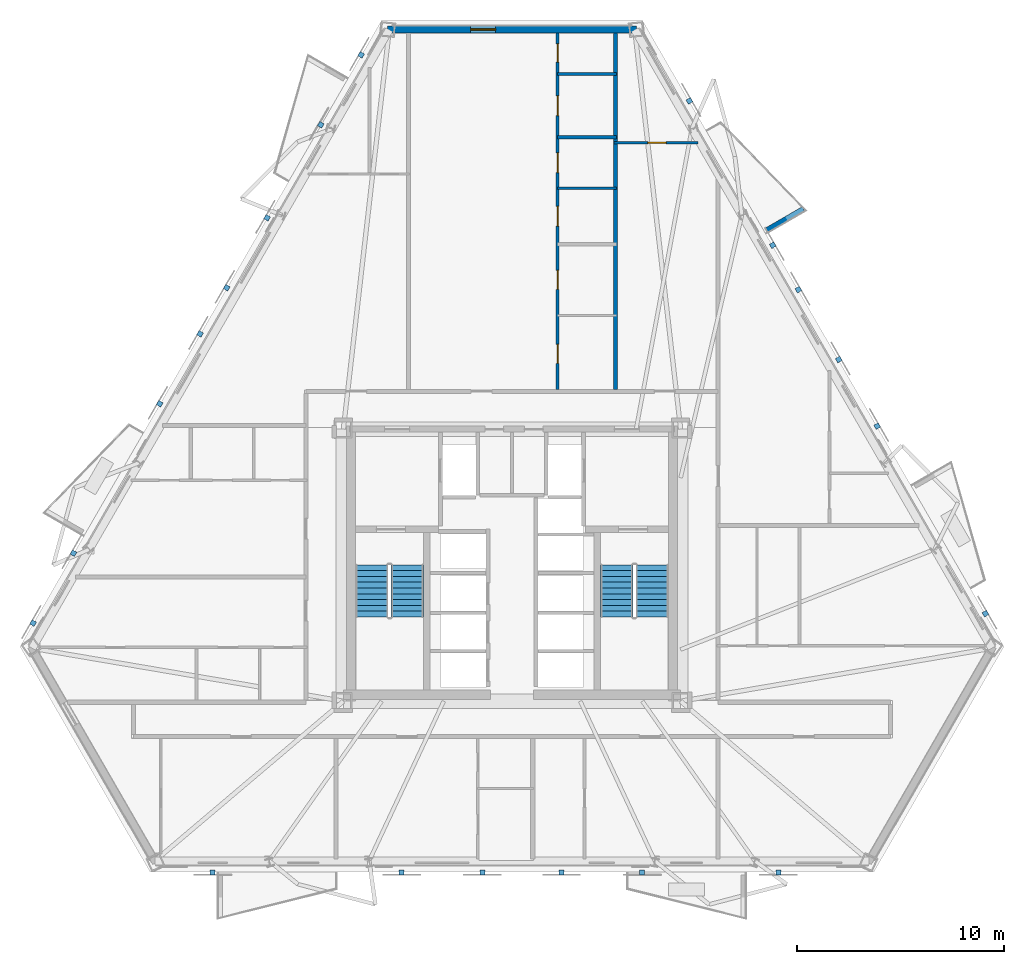
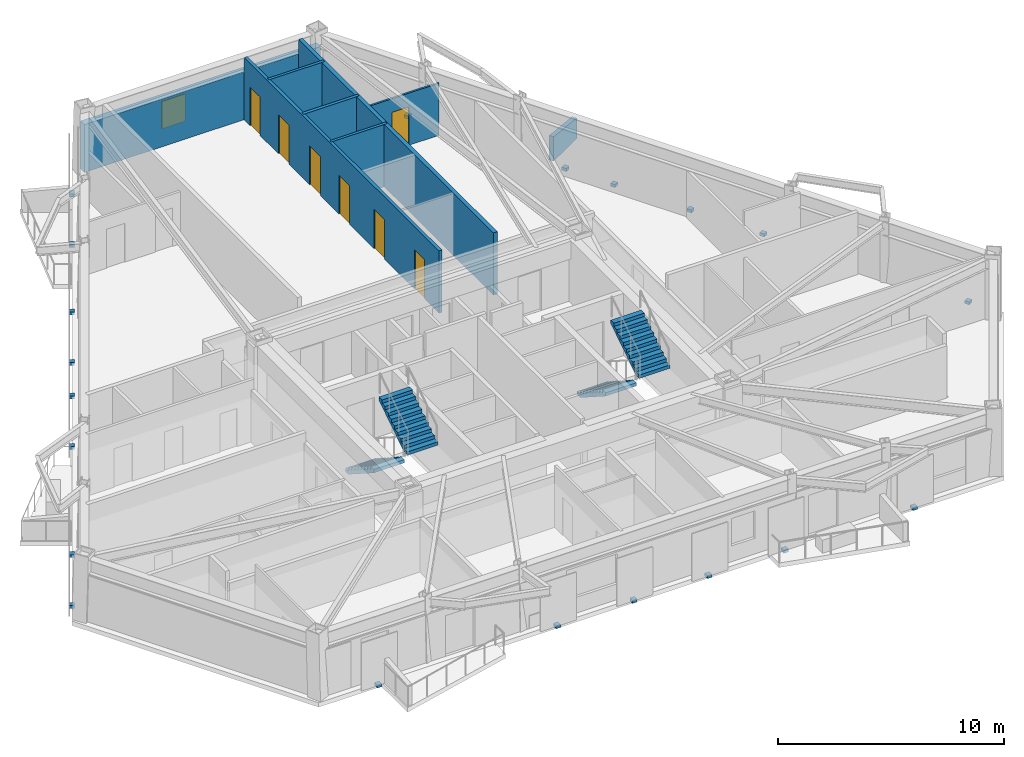
# One storey, part 6 of 10: 20 discrete accessories, 8 walls, 7 doors, 4 stair flights, 1 window, 8 openings, 2 elements without a shape of their own.
"""IFC4 building model written with IfcOpenShell, lengths in metres."""

from ifc_helpers import new_model, si_unit, direction, frame, frame_2d, origin, origin_2d, place, context, subcontext, project, spatial, polyline, rectangle, outline, extrude, material, layer, layer_set, type_object, element, fill, aggregate, save


model = new_model("IFC4")

# Units and contexts
model_context = context("Model", 3, precision=1e-05, world=origin(), true_north=direction((0.0, 1.0)))
body_context = subcontext(model_context, "Body", "Model", "MODEL_VIEW")
ifc_project = project(units=[si_unit("LENGTHUNIT", "METRE"), si_unit("AREAUNIT", "SQUARE_METRE"), si_unit("VOLUMEUNIT", "CUBIC_METRE"), si_unit("PLANEANGLEUNIT", "RADIAN"), si_unit("MASSUNIT", "GRAM", prefix="KILO")], contexts=[model_context])

# Site, building, storey
site_placement = place(None, origin())
site = spatial("IfcSite", under=ifc_project, at=site_placement, CompositionType="ELEMENT")
building_placement = place(site_placement, origin())
building = spatial("IfcBuilding", under=site, at=building_placement, Name="Oramaril Tower", CompositionType="ELEMENT")
storey_placement = place(building_placement, frame((0.0, 0.0, 96.89990234375)))
storey = spatial("IfcBuildingStorey", under=building, at=storey_placement, Name="L25", CompositionType="ELEMENT", Elevation=96.89990234375)

# Wall, opening, window
ifc_material_1 = material(Name="Warm Cream Limestone", Category="masonry")
ifc_layer_1 = layer(ifc_material_1, 0.340087890625)
ifc_layer_set_1 = layer_set([ifc_layer_1], Name="WT-EXT34")
wall_type_1 = type_object("IfcWallType", Name="WT-EXT34", PredefinedType="SOLIDWALL", material=ifc_layer_set_1)
wall_1_placement = place(storey_placement, frame((43.52783203125, 43.46240234375, 0.0), z_axis=(0.0, 0.0, 1.0), x_axis=(-1.0, 0.0, 0.0)))
wall_1 = element("IfcWall", 1, at=wall_1_placement, inside=storey, type_object=wall_type_1, Name="L25 Tower Limestone Facade Wall 5M", PredefinedType="SOLIDWALL", context=body_context, shape_type="SweptSolid", body=[
    extrude(rectangle(XDim=12.0556640625, YDim=0.340087890625, at=frame_2d((6.02783203125, 0.0))), origin(), (0.0, 0.0, 1.0), 2.578125),
])
opening_1_placement = place(wall_1_placement, frame((6.824951171875, 0.0, 0.85009765625)))
opening_1 = element("IfcOpeningElement", 2, at=opening_1_placement, cuts=wall_1, Name="Opening WN-09", PredefinedType="OPENING", context=body_context, shape_type="SweptSolid", body=[
    extrude(rectangle(XDim=1.199951171875, YDim=1.47998046875, at=frame_2d((0.60009765625, 0.739990234375))), frame((0.0, 0.169921875, 0.0), z_axis=(0.0, -1.0, 0.0), x_axis=(1.0, 0.0, 0.0)), (0.0, 0.0, 1.0), 0.340087890625),
])
ifc_material_2 = material(Name="Coastal Low-E Insulated Glass", Category="glass")
window_type = type_object("IfcWindowType", Name="WNT-09", PartitioningType="SINGLE_PANEL", PredefinedType="WINDOW", material=ifc_material_2)
window_placement = place(opening_1_placement, origin())
window = element("IfcWindow", 3, at=window_placement, inside=storey, type_object=window_type, Name="L25 Apartment Bedroom Window WN-09", OverallHeight=1.47998046875, OverallWidth=1.199951171875, PartitioningType="SINGLE_PANEL", PredefinedType="WINDOW", context=body_context, shape_type="SweptSolid", body=[
    extrude(rectangle(XDim=1.199951171875, YDim=1.47998046875, at=frame_2d((0.60009765625, 0.739990234375))), frame((0.0, 0.030029296875, 0.0), z_axis=(0.0, -1.0, 0.0), x_axis=(1.0, 0.0, 0.0)), (0.0, 0.0, 1.0), 0.06005859375),
])
fill(opening_1, window)

# Wall
ifc_material_3 = material(Name="Concrete C40/50", Category="concrete")
ifc_layer_2 = layer(ifc_material_3, 0.22998046875)
ifc_layer_set_2 = layer_set([ifc_layer_2], Name="WT-PRP23")
wall_type_2 = type_object("IfcWallType", Name="WT-PRP23", PredefinedType="PARAPET", material=ifc_layer_set_2)
wall_2_placement = place(storey_placement, frame((49.810302734375, 33.776611328125, 0.0), z_axis=(0.0, 0.0, 1.0), x_axis=(0.866042246008, 0.499970827278, 0.0)))
element("IfcWall", 4, at=wall_2_placement, inside=storey, type_object=wall_type_2, Name="L25 Trapezoidal Balcony Frame Cheek L25-BAL-NE2-L", PredefinedType="PARAPET", context=body_context, shape_type="SweptSolid", body=[
    extrude(outline(polyline([(0.0, 0.0), (2.0419921875, 0.0), (2.0419921875, 1.10009765625), (0.0, 1.320068359375), (0.0, 0.0)])), frame((0.0, 0.114990234375, 0.0), z_axis=(0.0, -1.0, 0.0), x_axis=(1.0, 0.0, 0.0)), (0.0, 0.0, 1.0), 0.22998046875),
])

# Wall, opening, door
ifc_material_4 = material(Name="Acoustic Gypsum Board Partition")
ifc_layer_3 = layer(ifc_material_4, 0.10009765625)
ifc_layer_set_3 = layer_set([ifc_layer_3], Name="WT-PT10")
wall_type_3 = type_object("IfcWallType", Name="WT-PT10", PredefinedType="PARTITIONING", material=ifc_layer_set_3)
wall_3_placement = place(storey_placement, frame((42.41796875, 37.989990234375, 0.0), z_axis=(0.0, 0.0, 1.0), x_axis=(1.0, 0.0, 0.0)))
wall_3 = element("IfcWall", 5, at=wall_3_placement, inside=storey, type_object=wall_type_3, Name="L25 Interior Partition PT-10", PredefinedType="PARTITIONING", context=body_context, shape_type="SweptSolid", body=[
    extrude(rectangle(XDim=4.068359375, YDim=0.10009765625, at=frame_2d((2.0341796875, 0.0))), origin(), (0.0, 0.0, 1.0), 2.814208984375),
])
opening_2_placement = place(wall_3_placement, frame((1.6484375, 0.0, 0.0)))
opening_2 = element("IfcOpeningElement", 6, at=opening_2_placement, cuts=wall_3, Name="Opening D-L25-19", PredefinedType="OPENING", context=body_context, shape_type="SweptSolid", body=[
    extrude(rectangle(XDim=0.8798828125, YDim=2.080078125, at=frame_2d((0.43994140625, 1.0400390625))), frame((0.0, 0.050048828125, 0.0), z_axis=(0.0, -1.0, 0.0), x_axis=(1.0, 0.0, 0.0)), (0.0, 0.0, 1.0), 0.10009765625),
])
ifc_material_5 = material(Name="FSC Brazilian Freijo Hardwood", Category="wood")
door_type_1 = type_object("IfcDoorType", Name="DT-BATH", OperationType="NOTDEFINED", PredefinedType="DOOR", material=ifc_material_5)
door_1_placement = place(opening_2_placement, origin())
door_1 = element("IfcDoor", 7, at=door_1_placement, inside=storey, type_object=door_type_1, Name="L25 Flat L25-U10 Bathroom Door D-L25-19", OperationType="SINGLE_SWING_LEFT", OverallHeight=2.080078125, OverallWidth=0.8798828125, PredefinedType="DOOR", context=body_context, shape_type="SweptSolid", body=[
    extrude(rectangle(XDim=0.8798828125, YDim=2.080078125, at=frame_2d((0.43994140625, 1.0400390625))), frame((0.0, 0.02490234375, 0.0), z_axis=(0.0, -1.0, 0.0), x_axis=(1.0, 0.0, 0.0)), (0.0, 0.0, 1.0), 0.050048828125),
])
fill(opening_2, door_1)

# Walls
ifc_material_6 = material(Name="Acoustic Gypsum Board Partition")
ifc_layer_4 = layer(ifc_material_6, 0.139892578125)
ifc_layer_set_4 = layer_set([ifc_layer_4], Name="WT-PT14")
wall_type_4 = type_object("IfcWallType", Name="WT-PT14", PredefinedType="PARTITIONING", material=ifc_layer_set_4)
for number, where, z_axis, x_axis, name in (
    (8, (39.699951171875, 35.7900390625, 0.0), (0.0, 0.0, 1.0), (1.0, 0.0, 0.0), "L25 Interior Partition PT-14"),
    (9, (39.699951171875, 41.31005859375, 0.0), (0.0, 0.0, 1.0), (1.0, 0.0, 0.0), "L25 Interior Partition PT-14"),
):
    element("IfcWall", number, at=place(storey_placement, frame(where, z_axis=z_axis, x_axis=x_axis)), inside=storey, type_object=wall_type_4, Name=name, PredefinedType="PARTITIONING", context=body_context, shape_type="SweptSolid", body=[
        extrude(rectangle(XDim=2.85009765625, YDim=0.139892578125, at=frame_2d((1.425048828125, 0.0))), origin(), (0.0, 0.0, 1.0), 3.360107421875),
    ])
ifc_material_7 = material(Name="Acoustic Gypsum Board Partition")
ifc_layer_5 = layer(ifc_material_7, 0.159912109375)
ifc_layer_set_5 = layer_set([ifc_layer_5], Name="WT-PT16")
wall_type_5 = type_object("IfcWallType", Name="WT-PT16", PredefinedType="PARTITIONING", material=ifc_layer_set_5)
wall_4_placement = place(storey_placement, frame((39.699951171875, 38.260009765625, 0.0), z_axis=(0.0, 0.0, 1.0), x_axis=(1.0, 0.0, 0.0)))
element("IfcWall", 10, at=wall_4_placement, inside=storey, type_object=wall_type_5, Name="L25 Interior Partition PT-16", PredefinedType="PARTITIONING", context=body_context, shape_type="SweptSolid", body=[
    extrude(rectangle(XDim=2.85009765625, YDim=0.159912109375, at=frame_2d((1.425048828125, 0.0))), origin(), (0.0, 0.0, 1.0), 3.360107421875),
])

# Wall, openings, doors
wall_5_placement = place(storey_placement, frame((39.699951171875, 26.073974609375, 0.0), z_axis=(0.0, 0.0, 1.0), x_axis=(0.0, 1.0, 0.0)))
wall_5 = element("IfcWall", 11, at=wall_5_placement, inside=storey, type_object=wall_type_5, Name="L25 Interior Partition PT-16", PredefinedType="PARTITIONING", context=body_context, shape_type="SweptSolid", body=[
    extrude(rectangle(XDim=17.21435546875, YDim=0.159912109375, at=frame_2d((8.607177734375, 0.0))), origin(), (0.0, 0.0, 1.0), 3.360107421875),
])
opening_3_placement = place(wall_5_placement, frame((1.25341796875, 0.0, 0.0)))
opening_3 = element("IfcOpeningElement", 12, at=opening_3_placement, cuts=wall_5, Name="Opening D-L25-25", PredefinedType="OPENING", context=body_context, shape_type="SweptSolid", body=[
    extrude(rectangle(XDim=0.919921875, YDim=2.1201171875, at=frame_2d((0.4599609375, 1.06005859375))), frame((0.0, 0.080078125, 0.0), z_axis=(0.0, -1.0, 0.0), x_axis=(1.0, 0.0, 0.0)), (0.0, 0.0, 1.0), 0.159912109375),
])
opening_4_placement = place(wall_5_placement, frame((4.825439453125, 0.0, 0.0)))
opening_4 = element("IfcOpeningElement", 13, at=opening_4_placement, cuts=wall_5, Name="Opening D-L25-26", PredefinedType="OPENING", context=body_context, shape_type="SweptSolid", body=[
    extrude(rectangle(XDim=0.919921875, YDim=2.1201171875, at=frame_2d((0.4599609375, 1.06005859375))), frame((0.0, 0.080078125, 0.0), z_axis=(0.0, -1.0, 0.0), x_axis=(1.0, 0.0, 0.0)), (0.0, 0.0, 1.0), 0.159912109375),
])
opening_5_placement = place(wall_5_placement, frame((7.889404296875, 0.0, 0.0)))
opening_5 = element("IfcOpeningElement", 14, at=opening_5_placement, cuts=wall_5, Name="Opening D-L25-27", PredefinedType="OPENING", context=body_context, shape_type="SweptSolid", body=[
    extrude(rectangle(XDim=0.949951171875, YDim=2.10009765625, at=frame_2d((0.47509765625, 1.050048828125))), frame((0.0, 0.080078125, 0.0), z_axis=(0.0, -1.0, 0.0), x_axis=(1.0, 0.0, 0.0)), (0.0, 0.0, 1.0), 0.159912109375),
])
opening_6_placement = place(wall_5_placement, frame((10.47607421875, 0.0, 0.0)))
opening_6 = element("IfcOpeningElement", 15, at=opening_6_placement, cuts=wall_5, Name="Opening D-L25-28", PredefinedType="OPENING", context=body_context, shape_type="SweptSolid", body=[
    extrude(rectangle(XDim=0.949951171875, YDim=2.10009765625, at=frame_2d((0.47509765625, 1.050048828125))), frame((0.0, 0.080078125, 0.0), z_axis=(0.0, -1.0, 0.0), x_axis=(1.0, 0.0, 0.0)), (0.0, 0.0, 1.0), 0.159912109375),
])
opening_7_placement = place(wall_5_placement, frame((13.232666015625, 0.0, 0.0)))
opening_7 = element("IfcOpeningElement", 16, at=opening_7_placement, cuts=wall_5, Name="Opening D-L25-29", PredefinedType="OPENING", context=body_context, shape_type="SweptSolid", body=[
    extrude(rectangle(XDim=0.949951171875, YDim=2.10009765625, at=frame_2d((0.47509765625, 1.050048828125))), frame((0.0, 0.080078125, 0.0), z_axis=(0.0, -1.0, 0.0), x_axis=(1.0, 0.0, 0.0)), (0.0, 0.0, 1.0), 0.159912109375),
])
opening_8_placement = place(wall_5_placement, frame((15.810546875, 0.0, 0.0)))
opening_8 = element("IfcOpeningElement", 17, at=opening_8_placement, cuts=wall_5, Name="Opening D-L25-30", PredefinedType="OPENING", context=body_context, shape_type="SweptSolid", body=[
    extrude(rectangle(XDim=0.8798828125, YDim=2.080078125, at=frame_2d((0.43994140625, 1.0400390625))), frame((0.0, 0.080078125, 0.0), z_axis=(0.0, -1.0, 0.0), x_axis=(1.0, 0.0, 0.0)), (0.0, 0.0, 1.0), 0.159912109375),
])
door_2_placement = place(opening_8_placement, origin())
door_2 = element("IfcDoor", 18, at=door_2_placement, inside=storey, type_object=door_type_1, Name="L25 Flat L25-U9 Bathroom Door D-L25-30", OperationType="SINGLE_SWING_RIGHT", OverallHeight=2.080078125, OverallWidth=0.8798828125, PredefinedType="DOOR", context=body_context, shape_type="SweptSolid", body=[
    extrude(rectangle(XDim=0.8798828125, YDim=2.080078125, at=frame_2d((0.43994140625, 1.0400390625))), frame((0.0, 0.02490234375, 0.0), z_axis=(0.0, -1.0, 0.0), x_axis=(1.0, 0.0, 0.0)), (0.0, 0.0, 1.0), 0.050048828125),
])
fill(opening_8, door_2)
ifc_material_8 = material(Name="FSC Brazilian Freijo Hardwood", Category="wood")
door_type_2 = type_object("IfcDoorType", Name="DT-BED", OperationType="NOTDEFINED", PredefinedType="DOOR", material=ifc_material_8)
door_3_placement = place(opening_3_placement, origin())
door_3 = element("IfcDoor", 19, at=door_3_placement, inside=storey, type_object=door_type_2, Name="L25 Flat L25-U9 Master Bedroom Door D-L25-25", OperationType="SINGLE_SWING_LEFT", OverallHeight=2.1201171875, OverallWidth=0.919921875, PredefinedType="DOOR", context=body_context, shape_type="SweptSolid", body=[
    extrude(rectangle(XDim=0.919921875, YDim=2.1201171875, at=frame_2d((0.4599609375, 1.06005859375))), frame((0.0, 0.02490234375, 0.0), z_axis=(0.0, -1.0, 0.0), x_axis=(1.0, 0.0, 0.0)), (0.0, 0.0, 1.0), 0.050048828125),
])
fill(opening_3, door_3)
door_4_placement = place(opening_4_placement, origin())
door_4 = element("IfcDoor", 20, at=door_4_placement, inside=storey, type_object=door_type_2, Name="L25 Flat L25-U9 Bedroom 2 Door D-L25-26", OperationType="SINGLE_SWING_RIGHT", OverallHeight=2.1201171875, OverallWidth=0.919921875, PredefinedType="DOOR", context=body_context, shape_type="SweptSolid", body=[
    extrude(rectangle(XDim=0.919921875, YDim=2.1201171875, at=frame_2d((0.4599609375, 1.06005859375))), frame((0.0, 0.02490234375, 0.0), z_axis=(0.0, -1.0, 0.0), x_axis=(1.0, 0.0, 0.0)), (0.0, 0.0, 1.0), 0.050048828125),
])
fill(opening_4, door_4)
ifc_material_9 = material(Name="FSC Brazilian Freijo Hardwood", Category="wood")
door_type_3 = type_object("IfcDoorType", Name="DT-STDY", OperationType="NOTDEFINED", PredefinedType="DOOR", material=ifc_material_9)
door_5_placement = place(opening_5_placement, origin())
door_5 = element("IfcDoor", 21, at=door_5_placement, inside=storey, type_object=door_type_3, Name="L25 Flat L25-U9 Breakfast Dining Room Door D-L25-27", OperationType="SINGLE_SWING_LEFT", OverallHeight=2.10009765625, OverallWidth=0.949951171875, PredefinedType="DOOR", context=body_context, shape_type="SweptSolid", body=[
    extrude(rectangle(XDim=0.949951171875, YDim=2.10009765625, at=frame_2d((0.47509765625, 1.050048828125))), frame((0.0, 0.02490234375, 0.0), z_axis=(0.0, -1.0, 0.0), x_axis=(1.0, 0.0, 0.0)), (0.0, 0.0, 1.0), 0.050048828125),
])
fill(opening_5, door_5)
door_6_placement = place(opening_6_placement, origin())
door_6 = element("IfcDoor", 22, at=door_6_placement, inside=storey, type_object=door_type_3, Name="L25 Flat L25-U9 Private Dining Room Door D-L25-28", OperationType="SINGLE_SWING_RIGHT", OverallHeight=2.10009765625, OverallWidth=0.949951171875, PredefinedType="DOOR", context=body_context, shape_type="SweptSolid", body=[
    extrude(rectangle(XDim=0.949951171875, YDim=2.10009765625, at=frame_2d((0.47509765625, 1.050048828125))), frame((0.0, 0.02490234375, 0.0), z_axis=(0.0, -1.0, 0.0), x_axis=(1.0, 0.0, 0.0)), (0.0, 0.0, 1.0), 0.050048828125),
])
fill(opening_6, door_6)
door_7_placement = place(opening_7_placement, origin())
door_7 = element("IfcDoor", 23, at=door_7_placement, inside=storey, type_object=door_type_3, Name="L25 Flat L25-U9 Kitchen Door D-L25-29", OperationType="SINGLE_SWING_LEFT", OverallHeight=2.10009765625, OverallWidth=0.949951171875, PredefinedType="DOOR", context=body_context, shape_type="SweptSolid", body=[
    extrude(rectangle(XDim=0.949951171875, YDim=2.10009765625, at=frame_2d((0.47509765625, 1.050048828125))), frame((0.0, 0.02490234375, 0.0), z_axis=(0.0, -1.0, 0.0), x_axis=(1.0, 0.0, 0.0)), (0.0, 0.0, 1.0), 0.050048828125),
])
fill(opening_7, door_7)

# Wall
ifc_material_10 = material(Name="Autoclaved Cellular Concrete Block", Category="concrete")
ifc_layer_6 = layer(ifc_material_10, 0.199951171875)
ifc_layer_set_6 = layer_set([ifc_layer_6], Name="WT-PT20")
wall_type_6 = type_object("IfcWallType", Name="WT-PT20", PredefinedType="PARTITIONING", material=ifc_layer_set_6)
wall_6_placement = place(storey_placement, frame((42.5, 26.073974609375, 0.0), z_axis=(0.0, 0.0, 1.0), x_axis=(0.0, 1.0, 0.0)))
element("IfcWall", 24, at=wall_6_placement, inside=storey, type_object=wall_type_6, Name="L25 Interior Partition PT-20", PredefinedType="PARTITIONING", context=body_context, shape_type="SweptSolid", body=[
    extrude(rectangle(XDim=17.21435546875, YDim=0.199951171875, at=frame_2d((8.607177734375, 0.0))), origin(), (0.0, 0.0, 1.0), 3.360107421875),
])

# Stair, stair flights
ifc_material_11 = material(Name="Concrete C50/60", Category="concrete")
stair_type = type_object("IfcStairType", Name="STT-DG-3600", PredefinedType="HALF_TURN_STAIR", material=ifc_material_11)
stair_1_placement = place(storey_placement, origin())
stair_1 = element("IfcStair", 25, at=stair_1_placement, inside=storey, type_object=stair_type, Name="L25 Protected PFP Exit Stair ST-1", PredefinedType="HALF_TURN_STAIR")
ifc_material_12 = material(Name="Concrete C50/60", Category="concrete")
stair_flight_type = type_object("IfcStairFlightType", Name="SFT-DG-3600", PredefinedType="STRAIGHT", material=ifc_material_12)
stair_flight_1_placement = place(storey_placement, frame((30.72998046875, 17.590087890625, 0.0), z_axis=(0.0, 0.0, 1.0), x_axis=(0.0, -1.0, 0.0)))
stair_flight_1 = element("IfcStairFlight", 26, at=stair_flight_1_placement, type_object=stair_flight_type, Name="ST-1 flight 1", NumberOfRisers=10, NumberOfTreads=9, PredefinedType="STRAIGHT", RiserHeight=0.18, TreadLength=0.28, context=body_context, shape_type="SweptSolid", body=[
    extrude(outline(polyline([(0.0, 0.0), (0.0, 0.179931640625), (0.280029296875, 0.179931640625), (0.280029296875, 0.360107421875), (0.56005859375, 0.360107421875), (0.56005859375, 0.5400390625), (0.840087890625, 0.5400390625), (0.840087890625, 0.719970703125), (1.1201171875, 0.719970703125), (1.1201171875, 0.89990234375), (1.39990234375, 0.89990234375), (1.39990234375, 1.080078125), (1.679931640625, 1.080078125), (1.679931640625, 1.260009765625), (1.9599609375, 1.260009765625), (1.9599609375, 1.43994140625), (2.239990234375, 1.43994140625), (2.239990234375, 1.6201171875), (2.52001953125, 1.6201171875), (2.52001953125, 1.800048828125), (2.52001953125, 1.44189453125), (0.277099609375, 0.0), (0.0, 0.0)])), frame((0.0, 0.780029296875, 0.0), z_axis=(0.0, -1.0, 0.0), x_axis=(1.0, 0.0, 0.0)), (0.0, 0.0, 1.0), 1.56005859375),
])
stair_flight_2_placement = place(storey_placement, frame((32.43994140625, 15.070068359375, 1.800048828125), z_axis=(0.0, 0.0, 1.0), x_axis=(0.0, 1.0, 0.0)))
stair_flight_2 = element("IfcStairFlight", 27, at=stair_flight_2_placement, type_object=stair_flight_type, Name="ST-1 flight 2", NumberOfRisers=10, NumberOfTreads=9, PredefinedType="STRAIGHT", RiserHeight=0.18, TreadLength=0.28, context=body_context, shape_type="SweptSolid", body=[
    extrude(outline(polyline([(0.0, 0.0), (0.0, 0.179931640625), (0.280029296875, 0.179931640625), (0.280029296875, 0.360107421875), (0.56005859375, 0.360107421875), (0.56005859375, 0.5400390625), (0.840087890625, 0.5400390625), (0.840087890625, 0.719970703125), (1.1201171875, 0.719970703125), (1.1201171875, 0.89990234375), (1.39990234375, 0.89990234375), (1.39990234375, 1.080078125), (1.679931640625, 1.080078125), (1.679931640625, 1.260009765625), (1.9599609375, 1.260009765625), (1.9599609375, 1.43994140625), (2.239990234375, 1.43994140625), (2.239990234375, 1.6201171875), (2.52001953125, 1.6201171875), (2.52001953125, 1.800048828125), (2.52001953125, 1.44189453125), (0.277099609375, 0.0), (0.0, 0.0)])), frame((0.0, 0.780029296875, 0.0), z_axis=(0.0, -1.0, 0.0), x_axis=(1.0, 0.0, 0.0)), (0.0, 0.0, 1.0), 1.56005859375),
])
aggregate(stair_1, [stair_flight_1, stair_flight_2])

stair_2_placement = place(storey_placement, origin())
stair_2 = element("IfcStair", 28, at=stair_2_placement, inside=storey, type_object=stair_type, Name="L25 Protected PFP Exit Stair ST-2", PredefinedType="HALF_TURN_STAIR")
stair_flight_3_placement = place(storey_placement, frame((42.56005859375, 17.590087890625, 0.0), z_axis=(0.0, 0.0, 1.0), x_axis=(0.0, -1.0, 0.0)))
stair_flight_3 = element("IfcStairFlight", 29, at=stair_flight_3_placement, type_object=stair_flight_type, Name="ST-2 flight 1", NumberOfRisers=10, NumberOfTreads=9, PredefinedType="STRAIGHT", RiserHeight=0.18, TreadLength=0.28, context=body_context, shape_type="SweptSolid", body=[
    extrude(outline(polyline([(0.0, 0.0), (0.0, 0.179931640625), (0.280029296875, 0.179931640625), (0.280029296875, 0.360107421875), (0.56005859375, 0.360107421875), (0.56005859375, 0.5400390625), (0.840087890625, 0.5400390625), (0.840087890625, 0.719970703125), (1.1201171875, 0.719970703125), (1.1201171875, 0.89990234375), (1.39990234375, 0.89990234375), (1.39990234375, 1.080078125), (1.679931640625, 1.080078125), (1.679931640625, 1.260009765625), (1.9599609375, 1.260009765625), (1.9599609375, 1.43994140625), (2.239990234375, 1.43994140625), (2.239990234375, 1.6201171875), (2.52001953125, 1.6201171875), (2.52001953125, 1.800048828125), (2.52001953125, 1.44189453125), (0.277099609375, 0.0), (0.0, 0.0)])), frame((0.0, 0.780029296875, 0.0), z_axis=(0.0, -1.0, 0.0), x_axis=(1.0, 0.0, 0.0)), (0.0, 0.0, 1.0), 1.56005859375),
])
stair_flight_4_placement = place(storey_placement, frame((44.27001953125, 15.070068359375, 1.800048828125), z_axis=(0.0, 0.0, 1.0), x_axis=(0.0, 1.0, 0.0)))
stair_flight_4 = element("IfcStairFlight", 30, at=stair_flight_4_placement, type_object=stair_flight_type, Name="ST-2 flight 2", NumberOfRisers=10, NumberOfTreads=9, PredefinedType="STRAIGHT", RiserHeight=0.18, TreadLength=0.28, context=body_context, shape_type="SweptSolid", body=[
    extrude(outline(polyline([(0.0, 0.0), (0.0, 0.179931640625), (0.280029296875, 0.179931640625), (0.280029296875, 0.360107421875), (0.56005859375, 0.360107421875), (0.56005859375, 0.5400390625), (0.840087890625, 0.5400390625), (0.840087890625, 0.719970703125), (1.1201171875, 0.719970703125), (1.1201171875, 0.89990234375), (1.39990234375, 0.89990234375), (1.39990234375, 1.080078125), (1.679931640625, 1.080078125), (1.679931640625, 1.260009765625), (1.9599609375, 1.260009765625), (1.9599609375, 1.43994140625), (2.239990234375, 1.43994140625), (2.239990234375, 1.6201171875), (2.52001953125, 1.6201171875), (2.52001953125, 1.800048828125), (2.52001953125, 1.44189453125), (0.277099609375, 0.0), (0.0, 0.0)])), frame((0.0, 0.780029296875, 0.0), z_axis=(0.0, -1.0, 0.0), x_axis=(1.0, 0.0, 0.0)), (0.0, 0.0, 1.0), 1.56005859375),
])
aggregate(stair_2, [stair_flight_3, stair_flight_4])

# Discrete accessories
for number, where, z_axis, x_axis, name in (
    (31, (23.03662109375, 2.718505859375, -0.1396484375), (0.0, 0.0, 1.0), (1.0, 0.0, 0.0), "L25 Solar Screen Slab Bracket"),
    (32, (32.167236328125, 2.718505859375, -0.1396484375), (0.0, 0.0, 1.0), (1.0, 0.0, 0.0), "L25 Solar Screen Slab Bracket"),
    (33, (36.067138671875, 2.718505859375, -0.1396484375), (0.0, 0.0, 1.0), (1.0, 0.0, 0.0), "L25 Solar Screen Slab Bracket"),
    (34, (39.890869140625, 2.718505859375, -0.1396484375), (0.0, 0.0, 1.0), (1.0, 0.0, 0.0), "L25 Solar Screen Slab Bracket"),
    (35, (43.791015625, 2.718505859375, -0.1396484375), (0.0, 0.0, 1.0), (1.0, 0.0, 0.0), "L25 Solar Screen Slab Bracket"),
    (36, (50.375732421875, 2.718505859375, -0.1396484375), (0.0, 0.0, 1.0), (1.0, 0.0, 0.0), "L25 Solar Screen Slab Bracket"),
    (37, (60.37890625, 15.2353515625, -0.1396484375), (0.0, 0.0, 1.0), (-0.5, 0.866025403784, 0.0), "L25 Solar Screen Slab Bracket"),
    (38, (53.29052734375, 27.5126953125, -0.1396484375), (0.0, 0.0, 1.0), (-0.5, 0.866025403784, 0.0), "L25 Solar Screen Slab Bracket"),
    (39, (51.340576171875, 30.89013671875, -0.1396484375), (0.0, 0.0, 1.0), (-0.5, 0.866025403784, 0.0), "L25 Solar Screen Slab Bracket"),
    (40, (50.099853515625, 33.0390625, -0.1396484375), (0.0, 0.0, 1.0), (-0.5, 0.866025403784, 0.0), "L25 Solar Screen Slab Bracket"),
    (41, (55.148193359375, 24.295166015625, -0.1396484375), (0.0, 0.0, 1.0), (-0.5, 0.866025403784, 0.0), "L25 Solar Screen Slab Bracket"),
    (42, (46.07470703125, 40.010986328125, -0.1396484375), (0.0, 0.0, 1.0), (-0.5, 0.866025403784, 0.0), "L25 Solar Screen Slab Bracket"),
    (43, (16.306396484375, 18.154296875, -0.1396484375), (0.0, 0.0, 1.0), (-0.5, -0.866025403784, 0.0), "L25 Solar Screen Slab Bracket"),
    (44, (14.3564453125, 14.77685546875, -0.1396484375), (0.0, 0.0, 1.0), (-0.5, -0.866025403784, 0.0), "L25 Solar Screen Slab Bracket"),
    (45, (25.6630859375, 34.3603515625, -0.1396484375), (0.0, 0.0, 1.0), (-0.5, -0.866025403784, 0.0), "L25 Solar Screen Slab Bracket"),
    (46, (23.712890625, 30.98291015625, -0.1396484375), (0.0, 0.0, 1.0), (-0.5, -0.866025403784, 0.0), "L25 Solar Screen Slab Bracket"),
    (47, (22.42578125, 28.753662109375, -0.1396484375), (0.0, 0.0, 1.0), (-0.5, -0.866025403784, 0.0), "L25 Solar Screen Slab Bracket"),
    (48, (20.475830078125, 25.376220703125, -0.1396484375), (0.0, 0.0, 1.0), (-0.5, -0.866025403784, 0.0), "L25 Solar Screen Slab Bracket"),
    (49, (30.209716796875, 42.235595703125, -0.1396484375), (0.0, 0.0, 1.0), (-0.5, -0.866025403784, 0.0), "L25 Solar Screen Slab Bracket"),
    (50, (28.259521484375, 38.85791015625, -0.1396484375), (0.0, 0.0, 1.0), (-0.5, -0.866025403784, 0.0), "L25 Solar Screen Slab Bracket"),
):
    element("IfcDiscreteAccessory", number, at=place(storey_placement, frame(where, z_axis=z_axis, x_axis=x_axis)), inside=storey, Name=name, PredefinedType="BRACKET", context=body_context, shape_type="SweptSolid", body=[
        extrude(rectangle(XDim=0.239990234375, YDim=0.239990234375, at=origin_2d()), origin(), (0.0, 0.0, 1.0), 0.159912109375),
    ])

save(model, "model.ifc")
